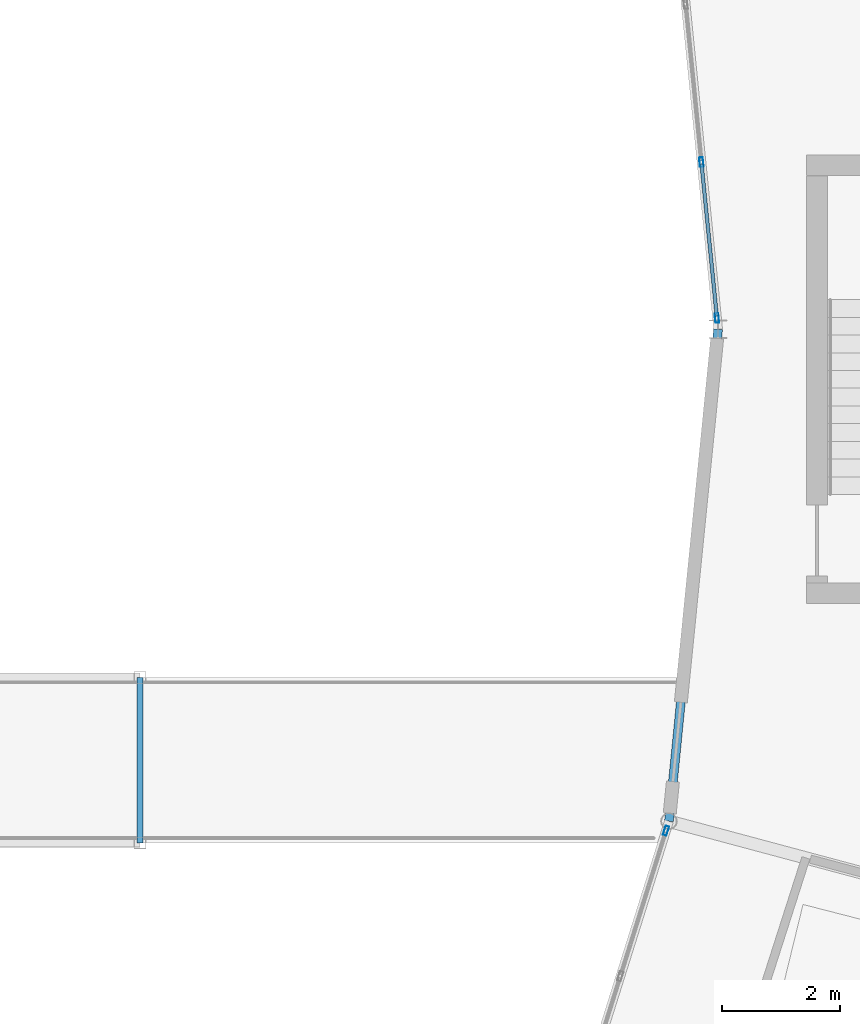
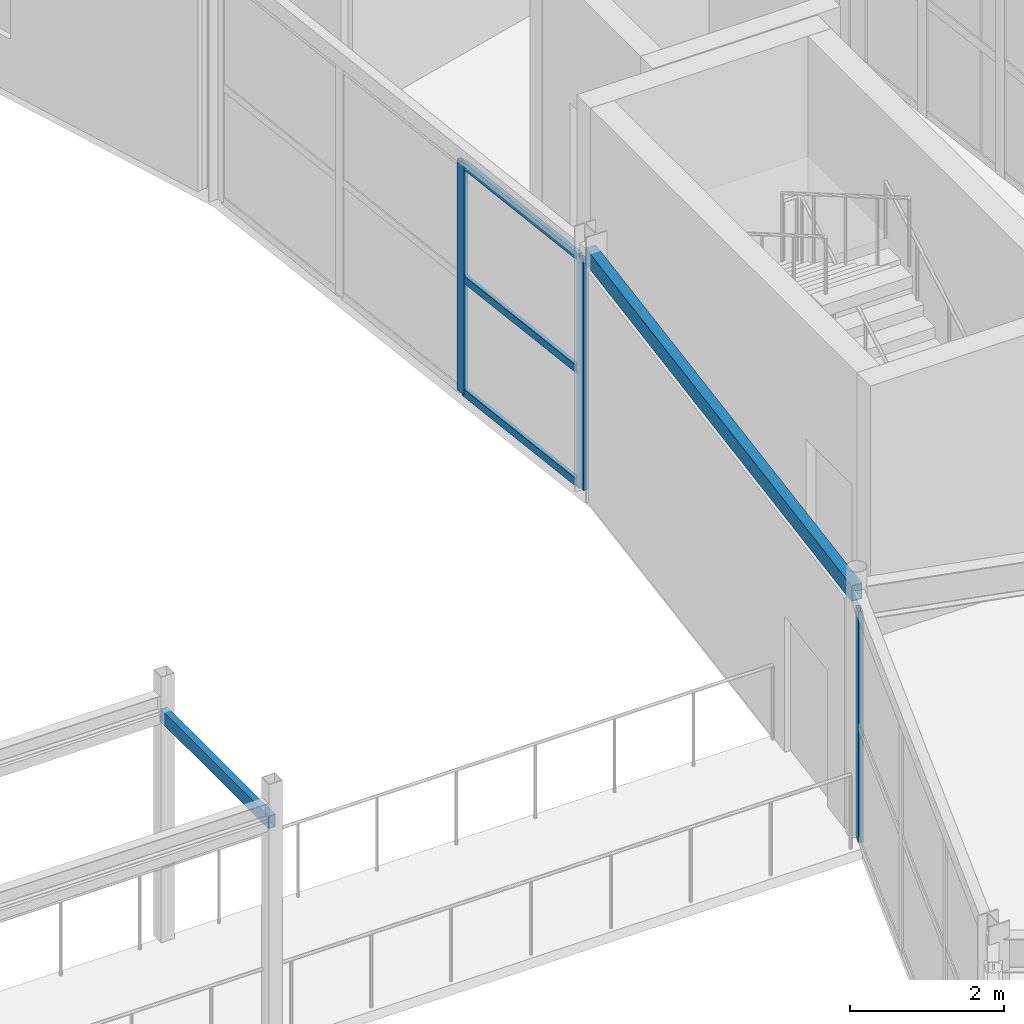
# One storey, part 62 of 147: 7 members, 1 beam, 2 elements without a shape of their own.
"""IFC4 building model written with IfcOpenShell, lengths in metres."""

from ifc_helpers import new_model, si_unit, direction, frame, origin, origin_2d, place, context, subcontext, project, spatial, hollow_rectangle, extrude, material, material_profile, profile_set, type_object, element, aggregate, save


model = new_model("IFC4")

# Units and contexts
model_context = context("Model", 3, precision=1e-05, world=origin(), true_north=direction((0.0, 1.0)))
body_context = subcontext(model_context, "Body", "Model", "MODEL_VIEW")
ifc_project = project(units=[si_unit("LENGTHUNIT", "METRE"), si_unit("AREAUNIT", "SQUARE_METRE"), si_unit("VOLUMEUNIT", "CUBIC_METRE"), si_unit("PLANEANGLEUNIT", "RADIAN"), si_unit("MASSUNIT", "GRAM", prefix="KILO")], contexts=[model_context])

# Site, building, storey
site_placement = place(None, origin())
site = spatial("IfcSite", under=ifc_project, at=site_placement, CompositionType="ELEMENT")
building_placement = place(site_placement, origin())
building = spatial("IfcBuilding", under=site, at=building_placement, Name="Karori Crest Natural Sciences Institute", CompositionType="ELEMENT")
storey_placement = place(building_placement, frame((0.0, 0.0, 9.10009765625)))
storey = spatial("IfcBuildingStorey", under=building, at=storey_placement, Name="L02", CompositionType="ELEMENT", Elevation=9.10009765625)

# Beam
ifc_material_1 = material(Name="Hollow structural steel AS/NZS 1163 Grade C350", Category="steel")
ifc_material_profile_1 = material_profile(ifc_material_1, hollow_rectangle(XDim=0.14990234375, YDim=0.25, WallThickness=0.009033203125, at=origin_2d()), Name="RHS250x150x9")
ifc_profile_set_1 = profile_set([ifc_material_profile_1], Name="Hollow structural steel AS/NZS 1163 Grade C350")
beam_type = type_object("IfcBeamType", Name="BT-16", PredefinedType="SPANDREL", material=ifc_profile_set_1)
beam_placement = place(storey_placement, frame((89.968505859375, 41.56591796875, 3.789794921875), z_axis=(0.099284371237, 0.99505910057, 0.0), x_axis=(-0.99505910057, 0.099284371237, 0.0)))
element("IfcBeam", 1, at=beam_placement, inside=storey, type_object=beam_type, Name="Beam B-0359", PredefinedType="SPANDREL", context=body_context, shape_type="SweptSolid", body=[
    extrude(hollow_rectangle(XDim=0.14990234375, YDim=0.25, WallThickness=0.009033203125, at=origin_2d()), origin(), (0.0, 0.0, 1.0), 8.37548828125),
])

# Curtain wall, members
ifc_material_2 = material(Name="Anodised architectural aluminium 6063-T6", Category="aluminium")
curtain_wall_type_1 = type_object("IfcCurtainWallType", Name="CWT-11", PredefinedType="NOTDEFINED", material=ifc_material_2)
curtain_wall_1_placement = place(storey_placement, origin())
curtain_wall_1 = element("IfcCurtainWall", 2, at=curtain_wall_1_placement, inside=storey, type_object=curtain_wall_type_1, Name="Curtain wall CW-0066", PredefinedType="NOTDEFINED")
ifc_material_profile_2 = material_profile(ifc_material_2, hollow_rectangle(XDim=0.06494140625, YDim=0.159912109375, WallThickness=0.00390625, at=origin_2d()), Name="CWM160x65x4")
ifc_profile_set_2 = profile_set([ifc_material_profile_2], Name="Anodised architectural aluminium 6063-T6")
member_type_1 = type_object("IfcMemberType", Name="CWM-01", PredefinedType="MULLION", material=ifc_profile_set_2)
member_1_placement = place(storey_placement, frame((90.78125, 50.087890625, 0.0), z_axis=(0.0, 0.0, 1.0), x_axis=(-0.995061096607, -0.099264364295, 0.0)))
member_1 = element("IfcMember", 3, at=member_1_placement, type_object=member_type_1, Name="CW-0066 mullion 1", PredefinedType="MULLION", context=body_context, shape_type="SweptSolid", body=[
    extrude(hollow_rectangle(XDim=0.06494140625, YDim=0.159912109375, WallThickness=0.00390625, at=origin_2d()), origin(), (0.0, 0.0, 1.0), 3.64990234375),
])
member_2_placement = place(storey_placement, frame((90.517578125, 52.73095703125, 0.0), z_axis=(0.0, 0.0, 1.0), x_axis=(-0.995061096607, -0.099264364295, 0.0)))
member_2 = element("IfcMember", 4, at=member_2_placement, type_object=member_type_1, Name="CW-0066 mullion 2", PredefinedType="MULLION", context=body_context, shape_type="SweptSolid", body=[
    extrude(hollow_rectangle(XDim=0.06494140625, YDim=0.159912109375, WallThickness=0.00390625, at=origin_2d()), origin(), (0.0, 0.0, 1.0), 3.64990234375),
])

# Curtain wall, member
curtain_wall_type_2 = type_object("IfcCurtainWallType", Name="CWT-13", PredefinedType="NOTDEFINED", material=ifc_material_2)
curtain_wall_2_placement = place(storey_placement, origin())
curtain_wall_2 = element("IfcCurtainWall", 5, at=curtain_wall_2_placement, inside=storey, type_object=curtain_wall_type_2, Name="Curtain wall CW-0098", PredefinedType="NOTDEFINED")
member_3_placement = place(storey_placement, frame((89.91845703125, 41.40673828125, 0.0), z_axis=(0.0, 0.0, 1.0), x_axis=(-0.954103649609, 0.2994765864, 0.0)))
member_3 = element("IfcMember", 6, at=member_3_placement, type_object=member_type_1, Name="CW-0098 mullion 4", PredefinedType="MULLION", context=body_context, shape_type="SweptSolid", body=[
    extrude(hollow_rectangle(XDim=0.06494140625, YDim=0.159912109375, WallThickness=0.00390625, at=origin_2d()), origin(), (0.0, 0.0, 1.0), 3.64990234375),
])
aggregate(curtain_wall_2, [member_3])

# Member
ifc_material_profile_3 = material_profile(ifc_material_2, hollow_rectangle(XDim=0.06005859375, YDim=0.1201171875, WallThickness=0.00390625, at=origin_2d()), Name="CWT120x60x4")
ifc_profile_set_3 = profile_set([ifc_material_profile_3], Name="Anodised architectural aluminium 6063-T6")
member_type_2 = type_object("IfcMemberType", Name="CWT-TR1", PredefinedType="USERDEFINED", material=ifc_profile_set_3)
member_4_placement = place(storey_placement, frame((90.778076171875, 50.1201171875, 0.02978515625), z_axis=(-0.099298504597, 0.99505769028, 0.0), x_axis=(-0.99505769028, -0.099298504597, 0.0)))
member_4 = element("IfcMember", 7, at=member_4_placement, type_object=member_type_2, Name="CW-0066 transom 1.1", ObjectType="TRANSOM", PredefinedType="USERDEFINED", context=body_context, shape_type="SweptSolid", body=[
    extrude(hollow_rectangle(XDim=0.06005859375, YDim=0.1201171875, WallThickness=0.00390625, at=origin_2d()), origin(), (0.0, 0.0, 1.0), 2.59130859375),
])

member_5_placement = place(storey_placement, frame((90.778076171875, 50.1201171875, 1.824951171875), z_axis=(-0.099298504597, 0.99505769028, 0.0), x_axis=(-0.99505769028, -0.099298504597, 0.0)))
member_5 = element("IfcMember", 8, at=member_5_placement, type_object=member_type_2, Name="CW-0066 transom 1.2", ObjectType="TRANSOM", PredefinedType="USERDEFINED", context=body_context, shape_type="SweptSolid", body=[
    extrude(hollow_rectangle(XDim=0.06005859375, YDim=0.1201171875, WallThickness=0.00390625, at=origin_2d()), origin(), (0.0, 0.0, 1.0), 2.59130859375),
])

member_6_placement = place(storey_placement, frame((90.778076171875, 50.1201171875, 3.619873046875), z_axis=(-0.099298504597, 0.99505769028, 0.0), x_axis=(-0.99505769028, -0.099298504597, 0.0)))
member_6 = element("IfcMember", 9, at=member_6_placement, type_object=member_type_2, Name="CW-0066 transom 1.3", ObjectType="TRANSOM", PredefinedType="USERDEFINED", context=body_context, shape_type="SweptSolid", body=[
    extrude(hollow_rectangle(XDim=0.06005859375, YDim=0.1201171875, WallThickness=0.00390625, at=origin_2d()), origin(), (0.0, 0.0, 1.0), 2.59130859375),
])

aggregate(curtain_wall_1, [member_1, member_2, member_4, member_5, member_6])

ifc_material_profile_4 = material_profile(ifc_material_1, hollow_rectangle(XDim=0.10009765625, YDim=0.199951171875, WallThickness=0.008056640625, at=origin_2d()), Name="RHS200x100x8")
ifc_profile_set_4 = profile_set([ifc_material_profile_4], Name="Hollow structural steel AS/NZS 1163 Grade C350")
member_type_3 = type_object("IfcMemberType", Name="MT-14", PredefinedType="CHORD", material=ifc_profile_set_4)
member_7_placement = place(storey_placement, frame((81.010009765625, 41.199951171875, 3.52001953125), z_axis=(0.0, 1.0, 0.0), x_axis=(-1.0, 0.0, 0.0)))
element("IfcMember", 10, at=member_7_placement, inside=storey, type_object=member_type_3, Name="Member M-0218", PredefinedType="CHORD", context=body_context, shape_type="SweptSolid", body=[
    extrude(hollow_rectangle(XDim=0.10009765625, YDim=0.199951171875, WallThickness=0.008056640625, at=origin_2d()), origin(), (0.0, 0.0, 1.0), 2.800048828125),
])

save(model, "model.ifc")
